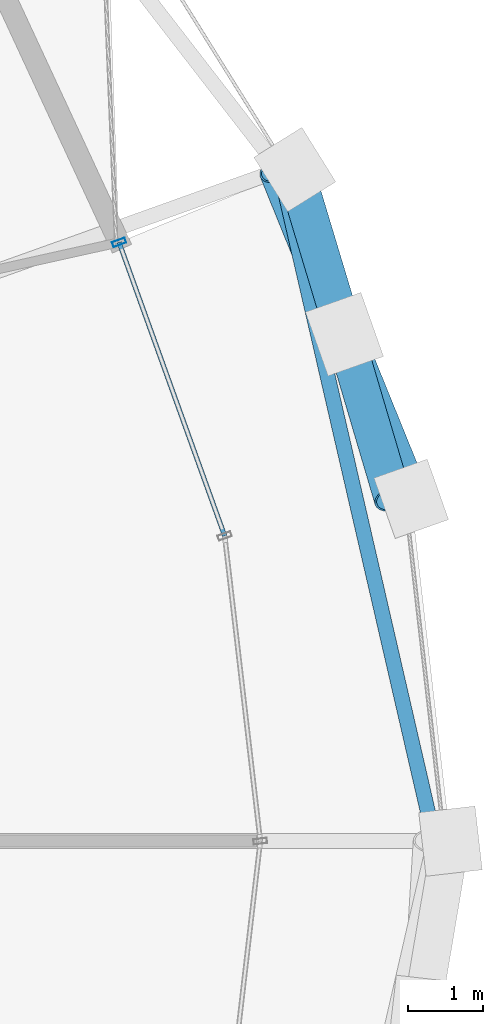
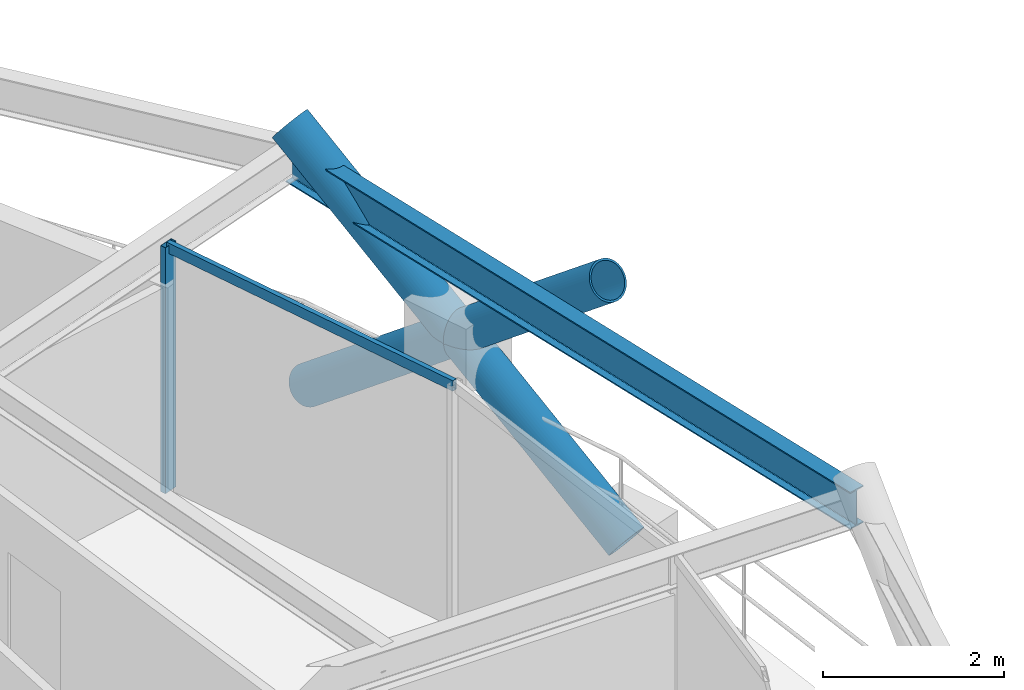
# One storey, part 9 of 16: 5 members, 1 beam, 1 element without a shape of its own.
"""IFC4 building model written with IfcOpenShell, lengths in metres."""

import ifcopenshell
import ifcopenshell.guid

model = None  # the IFC model being written
_history = None  # IfcOwnerHistory: only IFC2X3 demands one
_inside = {}  # id of a spatial element -> (the spatial element, [elements in it])
_under = {}  # id of a project, library or spatial element -> (it, [spatial elements below it])
_declared = {}  # id of a project -> (the project, [libraries it declares])
_typed = {}  # id of a type object -> (the type object, [elements of that type])
_made_of = {}  # id of a material, layer set ... -> (it, [elements and type objects made of it])


def new_model(schema):
    """Start an empty IFC model of exactly this schema.

    Asked for "IFC4X3", IfcOpenShell would pick the latest addendum, in which some entities
    have other attributes; the version numbers below select the first issue.
    IFC2X3 requires an IfcOwnerHistory on every rooted entity: one is made here for all.
    """
    global model, _history
    if schema == "IFC4X3":
        model = ifcopenshell.file(schema_version=(4, 3, 0, 0))
    else:
        model = ifcopenshell.file(schema=schema)
    _inside.clear()
    _under.clear()
    _declared.clear()
    _typed.clear()
    _made_of.clear()
    _history = None
    if model.schema == "IFC2X3":
        org = make("IfcOrganization", Name="unknown")
        user = make(
            "IfcPersonAndOrganization",
            ThePerson=make("IfcPerson", FamilyName="unknown"),
            TheOrganization=org,
        )
        app = make(
            "IfcApplication",
            ApplicationDeveloper=org,
            Version="unknown",
            ApplicationFullName="unknown",
            ApplicationIdentifier="unknown",
        )
        _history = make(
            "IfcOwnerHistory",
            OwningUser=user,
            OwningApplication=app,
            ChangeAction="ADDED",
            CreationDate=0,
        )
    return model


def make(cls, **values):
    """One entity of the class cls with the attributes given. An attribute that is None is left unset."""
    return model.create_entity(
        cls, **{name: value for name, value in values.items() if value is not None}
    )


def rooted(cls, **values):
    """An entity with a GlobalId (a new one), such as an element, a storey or a relation."""
    return make(cls, GlobalId=ifcopenshell.guid.new(), OwnerHistory=_history, **values)


def si_unit(unit_type, name, prefix=None):
    """IfcSIUnit, for example si_unit("LENGTHUNIT", "METRE", prefix="MILLI")."""
    return make("IfcSIUnit", UnitType=unit_type, Prefix=prefix, Name=name)


def assignment(units):
    """IfcUnitAssignment: the units of a project."""
    return None if units is None else make("IfcUnitAssignment", Units=units)


def point(xyz):
    """IfcCartesianPoint."""
    return None if xyz is None else make("IfcCartesianPoint", Coordinates=xyz)


def direction(xyz):
    """IfcDirection."""
    return None if xyz is None else make("IfcDirection", DirectionRatios=xyz)


def frame(location, z_axis=None, x_axis=None):
    """IfcAxis2Placement3D, a coordinate frame: its origin and axes. An axis left out is left unset."""
    return make(
        "IfcAxis2Placement3D",
        Location=point(location),
        Axis=direction(z_axis),
        RefDirection=direction(x_axis),
    )


def frame_2d(location, x_axis=None):
    """IfcAxis2Placement2D, a coordinate frame in the plane: its origin and x axis."""
    return make(
        "IfcAxis2Placement2D", Location=point(location), RefDirection=direction(x_axis)
    )


def origin():
    """The frame at (0, 0, 0) with its axes left unset."""
    return frame((0.0, 0.0, 0.0))


def origin_2d():
    """The frame at (0, 0) in the plane with its x axis left unset."""
    return frame_2d((0.0, 0.0))


def place(relative_to, where):
    """IfcLocalPlacement: puts the frame where relative to a parent placement (None: the world)."""
    return make(
        "IfcLocalPlacement", PlacementRelTo=relative_to, RelativePlacement=where
    )


def context(
    kind, dimensions, precision=None, world=None, true_north=None, identifier=None
):
    """IfcGeometricRepresentationContext, for example the 3D "Model" context."""
    return make(
        "IfcGeometricRepresentationContext",
        ContextIdentifier=identifier,
        ContextType=kind,
        CoordinateSpaceDimension=dimensions,
        Precision=precision,
        WorldCoordinateSystem=world,
        TrueNorth=true_north,
    )


def subcontext(parent, identifier, kind, view, scale=None):
    """IfcGeometricRepresentationSubContext, for example "Body" below "Model"."""
    return make(
        "IfcGeometricRepresentationSubContext",
        ContextIdentifier=identifier,
        ContextType=kind,
        ParentContext=parent,
        TargetScale=scale,
        TargetView=view,
    )


def project(units=None, contexts=None):
    """IfcProject with its units and contexts."""
    return rooted(
        "IfcProject",
        Name="project",
        RepresentationContexts=contexts,
        UnitsInContext=assignment(units),
    )


def spatial(cls, under=None, at=None, **own):
    """A site, building, storey or space (cls), placed at a placement, below another one or the project."""
    s = rooted(cls, ObjectPlacement=at, **own)
    if under is not None:
        _under.setdefault(under.id(), (under, []))[1].append(s)
    return s


def profile(cls, at=None, kind="AREA", **sizes):
    """A parametric profile (cls). Its sizes go by their IFC names, for example OverallWidth=200.0."""
    return make(cls, ProfileType=kind, Position=at, **sizes)


def hollow_rectangle(**sizes):
    """IfcRectangleHollowProfileDef."""
    return profile("IfcRectangleHollowProfileDef", **sizes)


def hollow_circle(**sizes):
    """IfcCircleHollowProfileDef."""
    return profile("IfcCircleHollowProfileDef", **sizes)


def i_section(**sizes):
    """IfcIShapeProfileDef."""
    return profile("IfcIShapeProfileDef", **sizes)


def extrude(swept, where, along, depth):
    """IfcExtrudedAreaSolid: the profile swept, set in the frame where, extruded along a direction by depth."""
    return make(
        "IfcExtrudedAreaSolid",
        SweptArea=swept,
        Position=where,
        ExtrudedDirection=direction(along),
        Depth=depth,
    )


def shape(context_of_items, identifier, shape_type, items):
    """IfcShapeRepresentation: the items that make up one representation, for example the "Body"."""
    return make(
        "IfcShapeRepresentation",
        ContextOfItems=context_of_items,
        RepresentationIdentifier=identifier,
        RepresentationType=shape_type,
        Items=items,
    )


def material(Name=None, Category=None):
    """IfcMaterial."""
    return make("IfcMaterial", Name=Name, Category=Category)


def layer(
    of_material, thickness, ventilated=None, Name=None, Category=None, Priority=None
):
    """IfcMaterialLayer: one layer of a wall or slab, of a material (None: an air gap)."""
    return make(
        "IfcMaterialLayer",
        Material=of_material,
        LayerThickness=thickness,
        IsVentilated=ventilated,
        Name=Name,
        Category=Category,
        Priority=Priority,
    )


def layer_set(layers, Name=None):
    """IfcMaterialLayerSet."""
    return make("IfcMaterialLayerSet", MaterialLayers=layers, LayerSetName=Name)


def material_profile(
    of_material, cross_section, Name=None, Category=None, Priority=None
):
    """IfcMaterialProfile: a cross section and its material."""
    return make(
        "IfcMaterialProfile",
        Name=Name,
        Material=of_material,
        Profile=cross_section,
        Priority=Priority,
        Category=Category,
    )


def profile_set(profiles, Name=None, composite=None):
    """IfcMaterialProfileSet."""
    return make(
        "IfcMaterialProfileSet",
        Name=Name,
        MaterialProfiles=profiles,
        CompositeProfile=composite,
    )


def made_of(thing, what):
    """Note that an element or type object is made of a material, layer set ...; save() writes the relation."""
    if what is not None:
        _made_of.setdefault(what.id(), (what, []))[1].append(thing)
    return thing


def type_object(cls, material=None, **own):
    """A type object (cls), such as IfcWallType, which elements share."""
    return made_of(rooted(cls, **own), material)


def element(
    cls,
    number,
    at=None,
    inside=None,
    cuts=None,
    type_object=None,
    material=None,
    context=None,
    identifier="Body",
    shape_type=None,
    held_by="IfcProductDefinitionShape",
    body=None,
    shapes=None,
    **own,
):
    """One element of the class cls, such as IfcWall. Its Tag is "e" and its number.

    at: its placement. inside: the storey or other place that contains it. cuts: it is an
    opening in that element (IfcRelVoidsElement). A single representation is given by context,
    identifier, shape_type and body (its items); several are given by shapes. held_by: the class
    of the entity that holds the representations. save() writes the other relations.
    """
    e = rooted(cls, Tag="e%d" % number, ObjectPlacement=at, **own)
    if body is not None:
        shapes = [shape(context, identifier, shape_type, body)]
    if shapes is not None:
        e.Representation = make(held_by, Representations=shapes)
    if inside is not None:
        _inside.setdefault(inside.id(), (inside, []))[1].append(e)
    if cuts is not None:
        rooted(
            "IfcRelVoidsElement", RelatingBuildingElement=cuts, RelatedOpeningElement=e
        )
    if type_object is not None:
        _typed.setdefault(type_object.id(), (type_object, []))[1].append(e)
    return made_of(e, material)


def aggregate(whole, parts):
    """IfcRelAggregates: a whole, such as a stair, and the parts it consists of."""
    return rooted("IfcRelAggregates", RelatingObject=whole, RelatedObjects=parts)


def save(model, path):
    """Write the relations noted so far, then the file.

    IfcRelAggregates (storeys below a building ...), IfcRelContainedInSpatialStructure (elements
    in a storey), IfcRelDefinesByType, IfcRelAssociatesMaterial and IfcRelDeclares: one each for
    every whole, place, type object, material and project.
    """
    for whole, parts in _under.values():
        aggregate(whole, parts)
    for where, things in _inside.values():
        rooted(
            "IfcRelContainedInSpatialStructure",
            RelatedElements=things,
            RelatingStructure=where,
        )
    for kind, things in _typed.values():
        rooted("IfcRelDefinesByType", RelatedObjects=things, RelatingType=kind)
    for what, things in _made_of.values():
        rooted("IfcRelAssociatesMaterial", RelatedObjects=things, RelatingMaterial=what)
    for by, libraries in _declared.values():
        rooted("IfcRelDeclares", RelatingContext=by, RelatedDefinitions=libraries)
    model.write(path)


model = new_model("IFC4")

# Units and contexts
model_context = context("Model", 3, precision=1e-05, world=origin(), true_north=direction((0.0, 1.0)))
body_context = subcontext(model_context, "Body", "Model", "MODEL_VIEW")
ifc_project = project(units=[si_unit("LENGTHUNIT", "METRE"), si_unit("AREAUNIT", "SQUARE_METRE"), si_unit("VOLUMEUNIT", "CUBIC_METRE"), si_unit("PLANEANGLEUNIT", "RADIAN"), si_unit("MASSUNIT", "GRAM", prefix="KILO")], contexts=[model_context])

# Site, building, storey
site_placement = place(None, origin())
site = spatial("IfcSite", under=ifc_project, at=site_placement, CompositionType="ELEMENT")
building_placement = place(site_placement, origin())
building = spatial("IfcBuilding", under=site, at=building_placement, Name="Veldorina Hangang Commons", CompositionType="ELEMENT")
storey_placement = place(building_placement, frame((0.0, 0.0, 189.199951171875)))
storey = spatial("IfcBuildingStorey", under=building, at=storey_placement, Name="L49", CompositionType="ELEMENT", Elevation=189.199951171875)

# Beam
ifc_material_1 = material(Name="Steel SM420-TMC", Category="steel")
ifc_material_profile_1 = material_profile(ifc_material_1, i_section(OverallWidth=0.199951171875, OverallDepth=0.5, WebThickness=0.010009765625, FlangeThickness=0.01611328125, FilletRadius=0.01611328125, at=origin_2d()), Name="H-500x200x10x16")
ifc_profile_set_1 = profile_set([ifc_material_profile_1], Name="Steel SM420-TMC")
beam_type = type_object("IfcBeamType", Name="BM-RB500", PredefinedType="BEAM", material=ifc_profile_set_1)
beam_placement = place(storey_placement, frame((58.893798828125, 24.0, 3.10009765625), z_axis=(-0.224302669526, 0.974519529021, 0.0), x_axis=(-0.974519529021, -0.224302669526, 0.0)))
element("IfcBeam", 1, at=beam_placement, inside=storey, type_object=beam_type, Name="L49 perimeter hoop ring beam 00", PredefinedType="BEAM", context=body_context, shape_type="SweptSolid", body=[
    extrude(i_section(OverallWidth=0.199951171875, OverallDepth=0.5, WebThickness=0.010009765625, FlangeThickness=0.01611328125, FilletRadius=0.01611328125, at=origin_2d()), origin(), (0.0, 0.0, 1.0), 9.126708984375),
])

# Curtain wall, members
ifc_material_2 = material(Name="Glass Low-E Triple IGU", Category="glass")
ifc_layer = layer(ifc_material_2, 0.179931640625)
ifc_layer_set = layer_set([ifc_layer], Name="Glass Low-E Triple IGU")
curtain_wall_type = type_object("IfcCurtainWallType", Name="CW-SYS-Z2", PredefinedType="NOTDEFINED", material=ifc_layer_set)
curtain_wall_placement = place(storey_placement, origin())
curtain_wall = element("IfcCurtainWall", 2, at=curtain_wall_placement, inside=storey, type_object=curtain_wall_type, Name="L49 unitised curtain wall CW-L49-R2", PredefinedType="NOTDEFINED")
ifc_material_3 = material(Name="Aluminium Anodized AA6063-T6", Category="aluminium")
ifc_material_profile_2 = material_profile(ifc_material_3, hollow_rectangle(XDim=0.070068359375, YDim=0.179931640625, WallThickness=0.00390625, at=origin_2d()), Name="ALU-RHS-180x70x4")
ifc_profile_set_2 = profile_set([ifc_material_profile_2], Name="Aluminium Anodized AA6063-T6")
member_type_1 = type_object("IfcMemberType", Name="CW-MUL-180", PredefinedType="MULLION", material=ifc_profile_set_2)
member_1_placement = place(storey_placement, frame((54.712646484375, 31.93359375, 0.0), z_axis=(0.0, 0.0, 1.0), x_axis=(0.33849158663, -0.94096941809, 0.0)))
member_1 = element("IfcMember", 3, at=member_1_placement, type_object=member_type_1, Name="CW-L49-R2 vertical mullion 5", PredefinedType="MULLION", context=body_context, shape_type="SweptSolid", body=[
    extrude(hollow_rectangle(XDim=0.070068359375, YDim=0.179931640625, WallThickness=0.00390625, at=origin_2d()), origin(), (0.0, 0.0, 1.0), 3.31005859375),
])
ifc_material_profile_3 = material_profile(ifc_material_3, hollow_rectangle(XDim=0.06005859375, YDim=0.139892578125, WallThickness=0.00341796875, at=origin_2d()), Name="ALU-RHS-140x60x3.5")
ifc_profile_set_3 = profile_set([ifc_material_profile_3], Name="Aluminium Anodized AA6063-T6")
member_type_2 = type_object("IfcMemberType", Name="CW-TRN-140", PredefinedType="USERDEFINED", material=ifc_profile_set_3)
member_2_placement = place(storey_placement, frame((56.11181640625, 28.04443359375, 3.27001953125), z_axis=(-0.338520753428, 0.940958925511, 0.0), x_axis=(-0.940958925511, -0.338520753428, 0.0)))
member_2 = element("IfcMember", 4, at=member_2_placement, type_object=member_type_2, Name="CW-L49-R2 facet 5 transom 1", ObjectType="TRANSOM", PredefinedType="USERDEFINED", context=body_context, shape_type="SweptSolid", body=[
    extrude(hollow_rectangle(XDim=0.06005859375, YDim=0.139892578125, WallThickness=0.00341796875, at=origin_2d()), origin(), (0.0, 0.0, 1.0), 4.13330078125),
])
aggregate(curtain_wall, [member_1, member_2])

# Members
ifc_material_profile_4 = material_profile(ifc_material_1, hollow_circle(Radius=0.25, WallThickness=0.02490234375, at=origin_2d()), Name="CHS-500x25")
ifc_profile_set_4 = profile_set([ifc_material_profile_4], Name="Steel SM420-TMC")
member_type_3 = type_object("IfcMemberType", Name="DG-CHS500", PredefinedType="BRACE", material=ifc_profile_set_4)
member_3_placement = place(storey_placement, frame((58.583251953125, 28.5361328125, 0.0), z_axis=(-0.298514317369, 0.735752661524, 0.607912183943), x_axis=(-0.92663565141, -0.375960595723, 0.0)))
element("IfcMember", 5, at=member_3_placement, inside=storey, type_object=member_type_3, Name="L49 continuous perimeter diagrid brace 01", PredefinedType="BRACE", context=body_context, shape_type="SweptSolid", body=[
    extrude(hollow_circle(Radius=0.25, WallThickness=0.02490234375, at=origin_2d()), origin(), (0.0, 0.0, 1.0), 5.922119140625),
])
member_4_placement = place(storey_placement, frame((57.041015625, 32.89794921875, 0.0), z_axis=(0.226438836192, -0.751097787754, 0.620143182414), x_axis=(0.957436150347, 0.288645142014, 0.0)))
element("IfcMember", 6, at=member_4_placement, inside=storey, type_object=member_type_3, Name="L49 split perimeter diagrid lower brace 02", PredefinedType="BRACE", context=body_context, shape_type="SweptSolid", body=[
    extrude(hollow_circle(Radius=0.25, WallThickness=0.02490234375, at=origin_2d()), origin(), (0.0, 0.0, 1.0), 2.904541015625),
])
member_5_placement = place(storey_placement, frame((57.69873046875, 30.71630859375, 1.80126953125), z_axis=(0.222425839762, -0.752359821215, 0.620065678156), x_axis=(0.958969997451, 0.283507573072, 0.0)))
element("IfcMember", 7, at=member_5_placement, inside=storey, type_object=member_type_3, Name="L49 split perimeter diagrid upper brace 02", PredefinedType="BRACE", context=body_context, shape_type="SweptSolid", body=[
    extrude(hollow_circle(Radius=0.25, WallThickness=0.02490234375, at=origin_2d()), origin(), (0.0, 0.0, 1.0), 2.901123046875),
])

save(model, "model.ifc")
